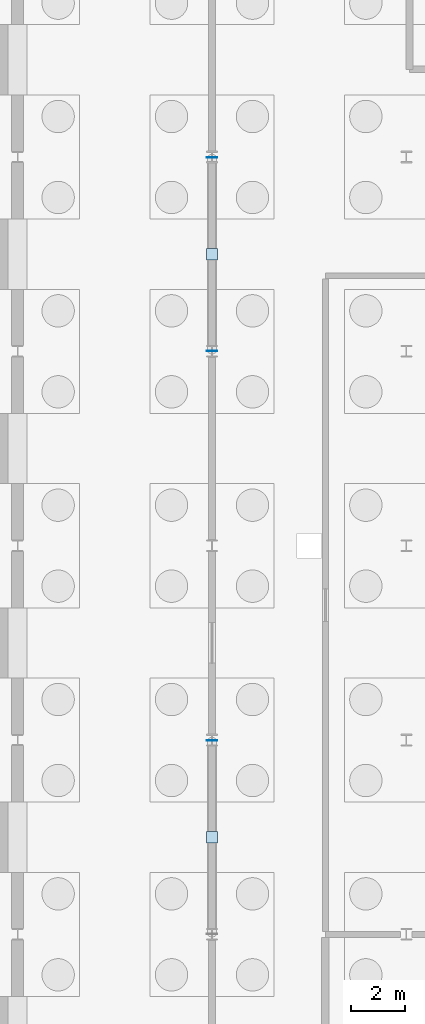
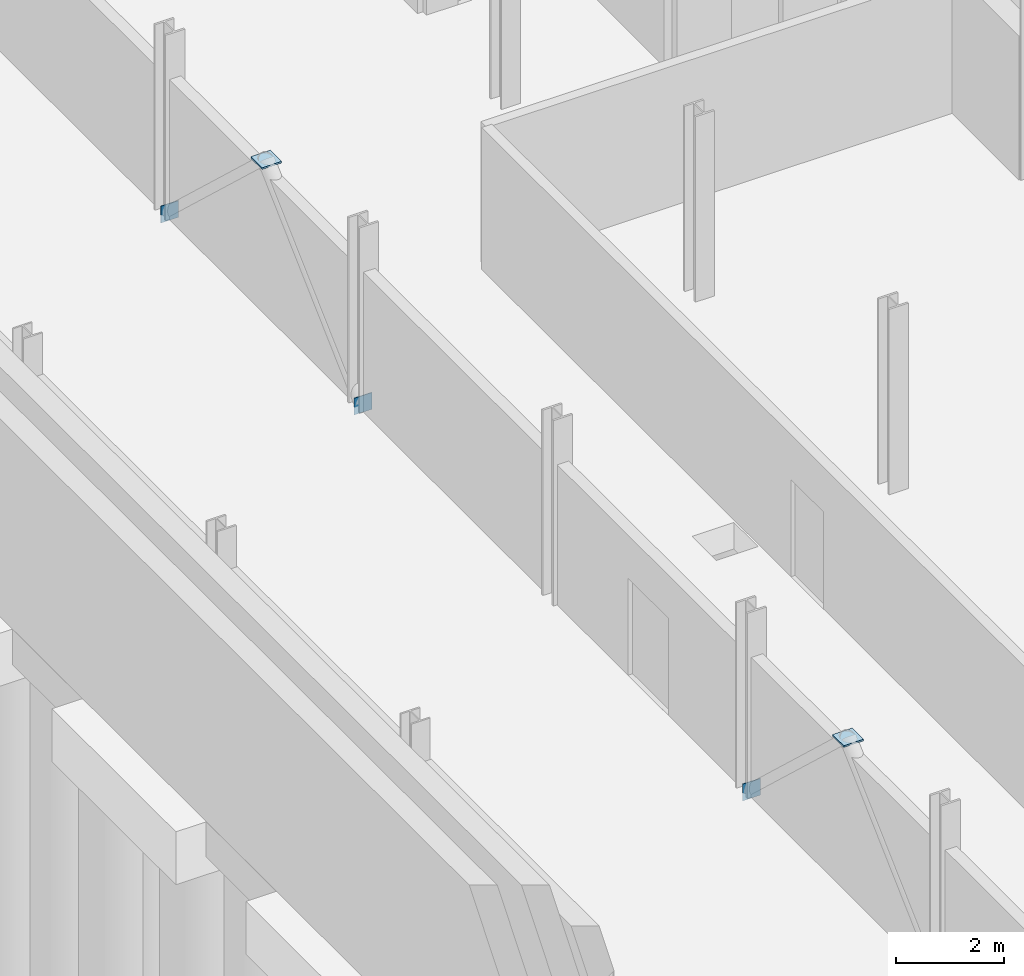
# One storey, part 30 of 50: 5 plates.
"""IFC4 building model written with IfcOpenShell, lengths in metres."""

from ifc_helpers import new_model, si_unit, direction, frame, origin, origin_2d, place, context, subcontext, project, spatial, rectangle, extrude, material, layer, layer_set, type_object, element, save


model = new_model("IFC4")

# Units and contexts
model_context = context("Model", 3, precision=1e-05, world=origin(), true_north=direction((0.0, 1.0)))
body_context = subcontext(model_context, "Body", "Model", "MODEL_VIEW")
ifc_project = project(units=[si_unit("LENGTHUNIT", "METRE"), si_unit("AREAUNIT", "SQUARE_METRE"), si_unit("VOLUMEUNIT", "CUBIC_METRE"), si_unit("PLANEANGLEUNIT", "RADIAN"), si_unit("MASSUNIT", "GRAM", prefix="KILO")], contexts=[model_context])

# Site, building, storey
site_placement = place(None, origin())
site = spatial("IfcSite", under=ifc_project, at=site_placement, CompositionType="ELEMENT")
building_placement = place(site_placement, origin())
building = spatial("IfcBuilding", under=site, at=building_placement, Name="Narikvali Park Central Library", CompositionType="ELEMENT")
storey_placement = place(building_placement, frame((0.0, 0.0, -4.199951171875)))
storey = spatial("IfcBuildingStorey", under=building, at=storey_placement, Name="B1", CompositionType="ELEMENT", Elevation=-4.199951171875)

# Plates
ifc_material = material(Name="Steel S355", Category="steel")
ifc_layer_1 = layer(ifc_material, 0.013916015625, Name="Steel S355")
ifc_layer_set_1 = layer_set([ifc_layer_1], Name="Steel S355")
plate_type_1 = type_object("IfcPlateType", Name="Steel Hollow End Cap Plate 14", PredefinedType="SHEET", material=ifc_layer_set_1)
for number, where, z_axis, x_axis, name in (
    (1, (7.199951171875, 79.18798828125, -0.177734375), (0.0, 0.0, 1.0), (1.0, 0.0, 0.0), "Hollow Section Steel End Cap BR-ECAP-1-B1-B0"),
    (2, (7.199951171875, 93.612060546875, -0.177734375), (0.0, 0.0, 1.0), (-1.0, 0.0, 0.0), "Hollow Section Steel End Cap BR-ECAP-2-B1-A0"),
    (3, (7.199951171875, 100.787841796875, -0.177734375), (0.0, 0.0, 1.0), (1.0, 0.0, 0.0), "Hollow Section Steel End Cap BR-ECAP-2-B1-B0"),
):
    element("IfcPlate", number, at=place(storey_placement, frame(where, z_axis=z_axis, x_axis=x_axis)), inside=storey, type_object=plate_type_1, Name=name, PredefinedType="SHEET", context=body_context, shape_type="SweptSolid", body=[
        extrude(rectangle(XDim=0.3798828125, YDim=0.013916015625, at=origin_2d()), origin(), (0.0, 0.0, 1.0), 0.3798828125),
    ])
ifc_layer_2 = layer(ifc_material, 0.0380859375, Name="Steel S355")
ifc_layer_set_2 = layer_set([ifc_layer_2], Name="Steel S355")
plate_type_2 = type_object("IfcPlateType", Name="Truss Splice Gusset Plate 38", PredefinedType="SHEET", material=ifc_layer_set_2)
for number, where, z_axis, x_axis, name in (
    (4, (7.199951171875, 75.60009765625, 3.3408203125), (0.0, 0.0, 1.0), (1.0, 0.0, 0.0), "V5 B1 Chevron Apex Gusset Cap Plate"),
    (5, (7.199951171875, 97.199951171875, 3.3408203125), (0.0, 0.0, 1.0), (1.0, 0.0, 0.0), "V5 B1 Chevron Apex Gusset Cap Plate"),
):
    element("IfcPlate", number, at=place(storey_placement, frame(where, z_axis=z_axis, x_axis=x_axis)), inside=storey, type_object=plate_type_2, Name=name, PredefinedType="SHEET", context=body_context, shape_type="SweptSolid", body=[
        extrude(rectangle(XDim=0.419921875, YDim=0.419921875, at=origin_2d()), origin(), (0.0, 0.0, 1.0), 0.0380859375),
    ])

save(model, "model.ifc")
